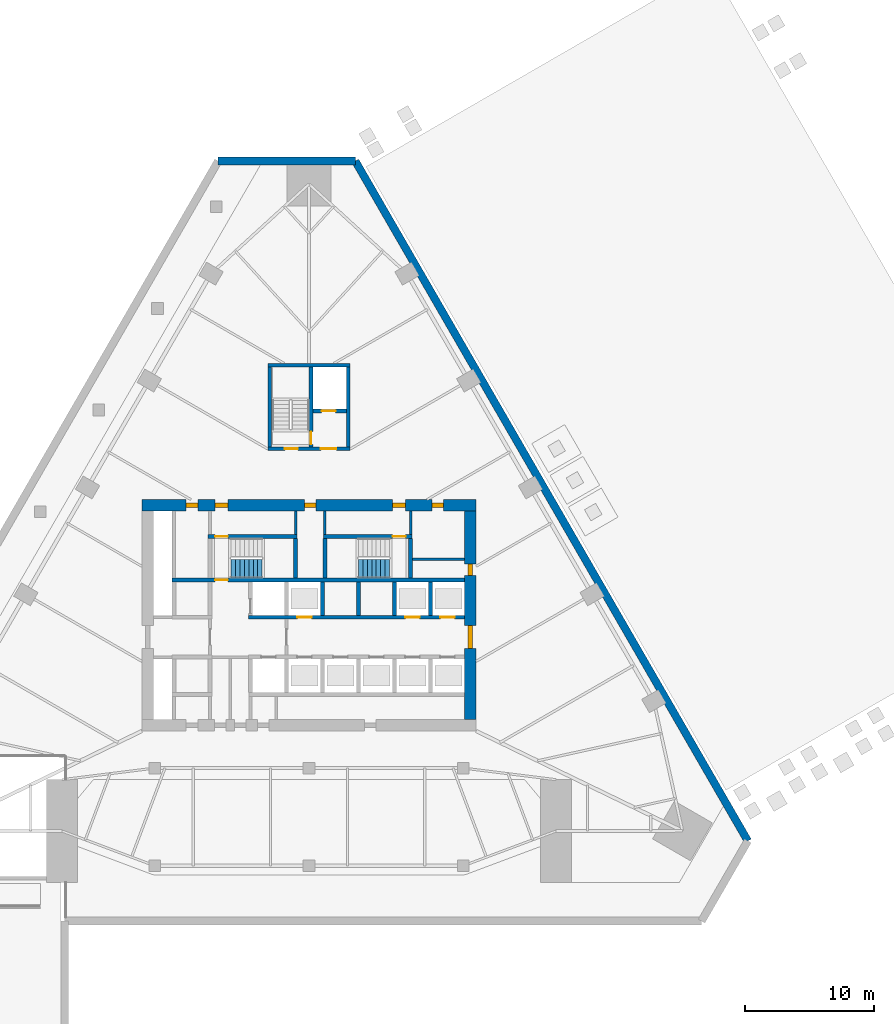
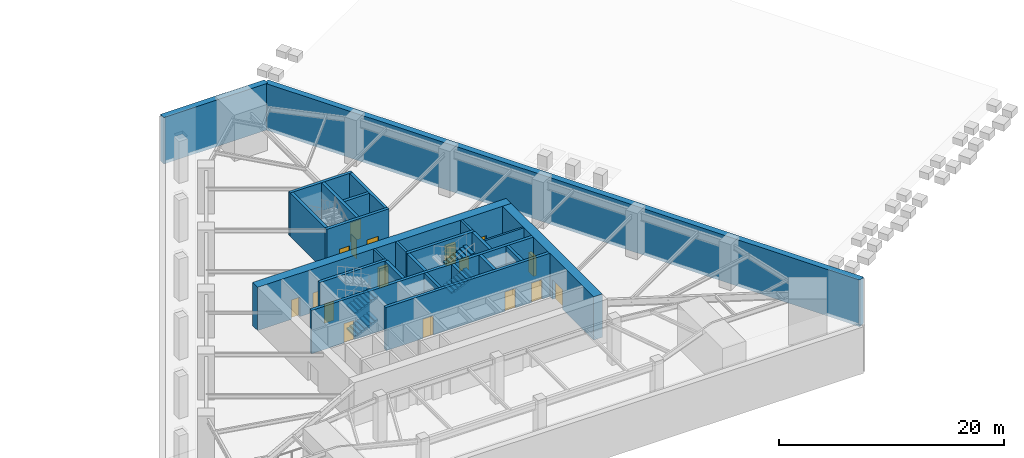
# One storey, part 5 of 9: 25 walls, 17 doors, 4 stair flights, 17 openings, 2 elements without a shape of their own.
"""IFC4 building model written with IfcOpenShell, lengths in metres."""

from ifc_helpers import new_model, si_unit, direction, frame, frame_2d, origin, place, context, subcontext, project, spatial, polyline, rectangle, outline, extrude, material, layer, layer_set, type_object, element, fill, aggregate, save


model = new_model("IFC4")

# Units and contexts
model_context = context("Model", 3, precision=1e-05, world=origin(), true_north=direction((0.0, 1.0)))
body_context = subcontext(model_context, "Body", "Model", "MODEL_VIEW")
ifc_project = project(units=[si_unit("LENGTHUNIT", "METRE"), si_unit("AREAUNIT", "SQUARE_METRE"), si_unit("VOLUMEUNIT", "CUBIC_METRE"), si_unit("PLANEANGLEUNIT", "RADIAN"), si_unit("MASSUNIT", "GRAM", prefix="KILO")], contexts=[model_context])

# Site, building, storey
site_placement = place(None, origin())
site = spatial("IfcSite", under=ifc_project, at=site_placement, CompositionType="ELEMENT")
building_placement = place(site_placement, origin())
building = spatial("IfcBuilding", under=site, at=building_placement, Name="Firuza Gate Tower and Library", CompositionType="ELEMENT")
storey_placement = place(building_placement, frame((0.0, 0.0, -5.0)))
storey = spatial("IfcBuildingStorey", under=building, at=storey_placement, Name="B1", CompositionType="ELEMENT", Elevation=-5.0)

# Walls
ifc_material_1 = material(Name="Plasterboard on steel studs", Category="steel")
ifc_layer_1 = layer(ifc_material_1, 0.199951171875)
ifc_layer_set_1 = layer_set([ifc_layer_1], Name="Core partition 200 EI 120")
wall_type_1 = type_object("IfcWallType", Name="Core partition 200 EI 120", PredefinedType="PARTITIONING", material=ifc_layer_set_1)
wall_1_placement = place(storey_placement, frame((83.050048828125, 79.35498046875, 0.0), z_axis=(0.0, 0.0, 1.0), x_axis=(1.0, 0.0, 0.0)))
element("IfcWall", 1, at=wall_1_placement, inside=storey, type_object=wall_type_1, Name="Core partition B1 4", PredefinedType="PARTITIONING", context=body_context, shape_type="SweptSolid", body=[
    extrude(rectangle(XDim=4.050048828125, YDim=0.199951171875, at=frame_2d((2.02490234375, 0.0))), origin(), (0.0, 0.0, 1.0), 4.699951171875),
])
for number, where, z_axis, x_axis, name in (
    (2, (73.9599609375, 81.280029296875, 0.0), (0.0, 0.0, 1.0), (0.0, 1.0, 0.0), "Core partition B1 14"),
    (3, (76.239990234375, 81.280029296875, 0.0), (0.0, 0.0, 1.0), (0.0, 1.0, 0.0), "Core partition B1 15"),
    (4, (82.89990234375, 81.280029296875, 0.0), (0.0, 0.0, 1.0), (0.0, 1.0, 0.0), "Core partition B1 16"),
):
    element("IfcWall", number, at=place(storey_placement, frame(where, z_axis=z_axis, x_axis=x_axis)), inside=storey, type_object=wall_type_1, Name=name, PredefinedType="PARTITIONING", context=body_context, shape_type="SweptSolid", body=[
        extrude(rectangle(XDim=1.820068359375, YDim=0.199951171875, at=frame_2d((0.91015625, 0.0))), origin(), (0.0, 0.0, 1.0), 4.699951171875),
    ])

# Wall, openings, doors
ifc_material_2 = material(Name="Concrete C80/95", Category="concrete")
ifc_layer_2 = layer(ifc_material_2, 0.300048828125)
ifc_layer_set_2 = layer_set([ifc_layer_2], Name="Core wall 300 C80/95")
wall_type_2 = type_object("IfcWallType", Name="Core wall 300 C80/95", PredefinedType="SHEAR", material=ifc_layer_set_2)
wall_2_placement = place(storey_placement, frame((70.300048828125, 74.85009765625, 0.0), z_axis=(0.0, 0.0, 1.0), x_axis=(1.0, 0.0, 0.0)))
wall_2 = element("IfcWall", 5, at=wall_2_placement, inside=storey, type_object=wall_type_2, Name="Core wall B1 10", PredefinedType="SHEAR", context=body_context, shape_type="SweptSolid", body=[
    extrude(rectangle(XDim=16.800048828125, YDim=0.300048828125, at=frame_2d((8.39990234375, 0.0))), origin(), (0.0, 0.0, 1.0), 4.699951171875),
])
opening_1_placement = place(wall_2_placement, frame((3.800048828125, 0.0, 0.0)))
opening_1 = element("IfcOpeningElement", 6, at=opening_1_placement, cuts=wall_2, Name="Opening LD-LR4-B1", PredefinedType="OPENING", context=body_context, shape_type="SweptSolid", body=[
    extrude(rectangle(XDim=1.10009765625, YDim=2.10009765625, at=frame_2d((0.550048828125, 1.050048828125))), frame((0.0, 0.16015625, 0.0), z_axis=(0.0, -1.0, 0.0), x_axis=(1.0, 0.0, 0.0)), (0.0, 0.0, 1.0), 0.320068359375),
])
opening_2_placement = place(wall_2_placement, frame((12.199951171875, 0.0, 0.0)))
opening_2 = element("IfcOpeningElement", 7, at=opening_2_placement, cuts=wall_2, Name="Opening LD-LR6-B1", PredefinedType="OPENING", context=body_context, shape_type="SweptSolid", body=[
    extrude(rectangle(XDim=1.10009765625, YDim=2.10009765625, at=frame_2d((0.550048828125, 1.050048828125))), frame((0.0, 0.16015625, 0.0), z_axis=(0.0, -1.0, 0.0), x_axis=(1.0, 0.0, 0.0)), (0.0, 0.0, 1.0), 0.320068359375),
])
opening_3_placement = place(wall_2_placement, frame((14.925048828125, 0.0, 0.0)))
opening_3 = element("IfcOpeningElement", 8, at=opening_3_placement, cuts=wall_2, Name="Opening LD-LR8-B1", PredefinedType="OPENING", context=body_context, shape_type="SweptSolid", body=[
    extrude(rectangle(XDim=1.10009765625, YDim=2.10009765625, at=frame_2d((0.550048828125, 1.050048828125))), frame((0.0, 0.16015625, 0.0), z_axis=(0.0, -1.0, 0.0), x_axis=(1.0, 0.0, 0.0)), (0.0, 0.0, 1.0), 0.320068359375),
])
ifc_material_3 = material(Name="Stainless steel", Category="steel")
door_type_1 = type_object("IfcDoorType", Name="Lift landing door 1100x2100", OperationType="DOUBLE_DOOR_SLIDING", PredefinedType="DOOR", material=ifc_material_3)
door_1_placement = place(opening_1_placement, origin())
door_1 = element("IfcDoor", 9, at=door_1_placement, inside=storey, type_object=door_type_1, Name="Landing door LR4 B1", OperationType="DOUBLE_DOOR_SLIDING", OverallHeight=2.10009765625, OverallWidth=1.10009765625, PredefinedType="DOOR", context=body_context, shape_type="SweptSolid", body=[
    extrude(rectangle(XDim=1.10009765625, YDim=2.10009765625, at=frame_2d((0.550048828125, 1.050048828125))), frame((0.0, 0.02490234375, 0.0), z_axis=(0.0, -1.0, 0.0), x_axis=(1.0, 0.0, 0.0)), (0.0, 0.0, 1.0), 0.050048828125),
])
fill(opening_1, door_1)
door_2_placement = place(opening_2_placement, origin())
door_2 = element("IfcDoor", 10, at=door_2_placement, inside=storey, type_object=door_type_1, Name="Landing door LR6 B1", OperationType="DOUBLE_DOOR_SLIDING", OverallHeight=2.10009765625, OverallWidth=1.10009765625, PredefinedType="DOOR", context=body_context, shape_type="SweptSolid", body=[
    extrude(rectangle(XDim=1.10009765625, YDim=2.10009765625, at=frame_2d((0.550048828125, 1.050048828125))), frame((0.0, 0.02490234375, 0.0), z_axis=(0.0, -1.0, 0.0), x_axis=(1.0, 0.0, 0.0)), (0.0, 0.0, 1.0), 0.050048828125),
])
fill(opening_2, door_2)
door_3_placement = place(opening_3_placement, origin())
door_3 = element("IfcDoor", 11, at=door_3_placement, inside=storey, type_object=door_type_1, Name="Landing door LR8 B1", OperationType="DOUBLE_DOOR_SLIDING", OverallHeight=2.10009765625, OverallWidth=1.10009765625, PredefinedType="DOOR", context=body_context, shape_type="SweptSolid", body=[
    extrude(rectangle(XDim=1.10009765625, YDim=2.10009765625, at=frame_2d((0.550048828125, 1.050048828125))), frame((0.0, 0.02490234375, 0.0), z_axis=(0.0, -1.0, 0.0), x_axis=(1.0, 0.0, 0.0)), (0.0, 0.0, 1.0), 0.050048828125),
])
fill(opening_3, door_3)

# Walls
for number, where, z_axis, x_axis, name in (
    (12, (76.050048828125, 75.0, 0.0), (0.0, 0.0, 1.0), (0.0, 1.0, 0.0), "Core wall B1 20"),
    (13, (78.85009765625, 75.0, 0.0), (0.0, 0.0, 1.0), (0.0, 1.0, 0.0), "Core wall B1 22"),
    (14, (81.64990234375, 75.0, 0.0), (0.0, 0.0, 1.0), (0.0, 1.0, 0.0), "Core wall B1 24"),
    (15, (84.449951171875, 75.0, 0.0), (0.0, 0.0, 1.0), (0.0, 1.0, 0.0), "Core wall B1 26"),
):
    element("IfcWall", number, at=place(storey_placement, frame(where, z_axis=z_axis, x_axis=x_axis)), inside=storey, type_object=wall_type_2, Name=name, PredefinedType="SHEAR", context=body_context, shape_type="SweptSolid", body=[
        extrude(rectangle(XDim=2.60009765625, YDim=0.300048828125, at=frame_2d((1.300048828125, 0.0))), origin(), (0.0, 0.0, 1.0), 4.699951171875),
    ])

# Wall, opening, door
wall_3_placement = place(storey_placement, frame((64.35009765625, 77.75, 0.0), z_axis=(0.0, 0.0, 1.0), x_axis=(1.0, 0.0, 0.0)))
wall_3 = element("IfcWall", 16, at=wall_3_placement, inside=storey, type_object=wall_type_2, Name="Core wall B1 27", PredefinedType="SHEAR", context=body_context, shape_type="SweptSolid", body=[
    extrude(rectangle(XDim=22.75, YDim=0.300048828125, at=frame_2d((11.375, 0.0))), origin(), (0.0, 0.0, 1.0), 4.699951171875),
])
opening_4_placement = place(wall_3_placement, frame((3.344970703125, 0.0, 0.0)))
opening_4 = element("IfcOpeningElement", 17, at=opening_4_placement, cuts=wall_3, Name="Opening B1-K12", PredefinedType="OPENING", context=body_context, shape_type="SweptSolid", body=[
    extrude(rectangle(XDim=1.0, YDim=2.10009765625, at=frame_2d((0.5, 1.050048828125))), frame((0.0, 0.16015625, 0.0), z_axis=(0.0, -1.0, 0.0), x_axis=(1.0, 0.0, 0.0)), (0.0, 0.0, 1.0), 0.320068359375),
])
ifc_material_4 = material(Name="Steel", Category="steel")
door_type_2 = type_object("IfcDoorType", Name="Fire door 1000x2100 FD90", OperationType="NOTDEFINED", PredefinedType="DOOR", material=ifc_material_4)
door_4_placement = place(opening_4_placement, origin())
door_4 = element("IfcDoor", 18, at=door_4_placement, inside=storey, type_object=door_type_2, Name="Door B1-K12", OperationType="SINGLE_SWING_LEFT", OverallHeight=2.10009765625, OverallWidth=1.0, PredefinedType="DOOR", context=body_context, shape_type="SweptSolid", body=[
    extrude(rectangle(XDim=1.0, YDim=2.10009765625, at=frame_2d((0.5, 1.050048828125))), frame((0.0, 0.02490234375, 0.0), z_axis=(0.0, -1.0, 0.0), x_axis=(1.0, 0.0, 0.0)), (0.0, 0.0, 1.0), 0.050048828125),
])
fill(opening_4, door_4)

wall_4_placement = place(storey_placement, frame((67.14990234375, 81.1298828125, 0.0), z_axis=(0.0, 0.0, 1.0), x_axis=(1.0, 0.0, 0.0)))
wall_4 = element("IfcWall", 19, at=wall_4_placement, inside=storey, type_object=wall_type_2, Name="Core wall B1 28", PredefinedType="SHEAR", context=body_context, shape_type="SweptSolid", body=[
    extrude(rectangle(XDim=6.91015625, YDim=0.300048828125, at=frame_2d((3.455078125, 0.0))), origin(), (0.0, 0.0, 1.0), 4.699951171875),
])
opening_5_placement = place(wall_4_placement, frame((0.544921875, 0.0, 0.0)))
opening_5 = element("IfcOpeningElement", 20, at=opening_5_placement, cuts=wall_4, Name="Opening B1-K13", PredefinedType="OPENING", context=body_context, shape_type="SweptSolid", body=[
    extrude(rectangle(XDim=1.0, YDim=2.10009765625, at=frame_2d((0.5, 1.050048828125))), frame((0.0, 0.16015625, 0.0), z_axis=(0.0, -1.0, 0.0), x_axis=(1.0, 0.0, 0.0)), (0.0, 0.0, 1.0), 0.320068359375),
])
door_5_placement = place(opening_5_placement, origin())
door_5 = element("IfcDoor", 21, at=door_5_placement, inside=storey, type_object=door_type_2, Name="Door B1-K13", OperationType="SINGLE_SWING_RIGHT", OverallHeight=2.10009765625, OverallWidth=1.0, PredefinedType="DOOR", context=body_context, shape_type="SweptSolid", body=[
    extrude(rectangle(XDim=1.0, YDim=2.10009765625, at=frame_2d((0.5, 1.050048828125))), frame((0.0, 0.02490234375, 0.0), z_axis=(0.0, -1.0, 0.0), x_axis=(1.0, 0.0, 0.0)), (0.0, 0.0, 1.0), 0.050048828125),
])
fill(opening_5, door_5)

wall_5_placement = place(storey_placement, frame((76.139892578125, 81.1298828125, 0.0), z_axis=(0.0, 0.0, 1.0), x_axis=(1.0, 0.0, 0.0)))
wall_5 = element("IfcWall", 22, at=wall_5_placement, inside=storey, type_object=wall_type_2, Name="Core wall B1 29", PredefinedType="SHEAR", context=body_context, shape_type="SweptSolid", body=[
    extrude(rectangle(XDim=6.860107421875, YDim=0.300048828125, at=frame_2d((3.43017578125, 0.0))), origin(), (0.0, 0.0, 1.0), 4.699951171875),
])
opening_6_placement = place(wall_5_placement, frame((5.364990234375, 0.0, 0.0)))
opening_6 = element("IfcOpeningElement", 23, at=opening_6_placement, cuts=wall_5, Name="Opening B1-K15", PredefinedType="OPENING", context=body_context, shape_type="SweptSolid", body=[
    extrude(rectangle(XDim=1.0, YDim=2.10009765625, at=frame_2d((0.5, 1.050048828125))), frame((0.0, 0.16015625, 0.0), z_axis=(0.0, -1.0, 0.0), x_axis=(1.0, 0.0, 0.0)), (0.0, 0.0, 1.0), 0.320068359375),
])
door_6_placement = place(opening_6_placement, origin())
door_6 = element("IfcDoor", 24, at=door_6_placement, inside=storey, type_object=door_type_2, Name="Door B1-K15", OperationType="SINGLE_SWING_RIGHT", OverallHeight=2.10009765625, OverallWidth=1.0, PredefinedType="DOOR", context=body_context, shape_type="SweptSolid", body=[
    extrude(rectangle(XDim=1.0, YDim=2.10009765625, at=frame_2d((0.5, 1.050048828125))), frame((0.0, 0.02490234375, 0.0), z_axis=(0.0, -1.0, 0.0), x_axis=(1.0, 0.0, 0.0)), (0.0, 0.0, 1.0), 0.050048828125),
])
fill(opening_6, door_6)

# Walls
for number, where, z_axis, x_axis, name in (
    (25, (73.9599609375, 77.89990234375, 0.0), (0.0, 0.0, 1.0), (0.0, 1.0, 0.0), "Core wall B1 31"),
    (26, (76.239990234375, 77.89990234375, 0.0), (0.0, 0.0, 1.0), (0.0, 1.0, 0.0), "Core wall B1 32"),
    (27, (82.89990234375, 77.89990234375, 0.0), (0.0, 0.0, 1.0), (0.0, 1.0, 0.0), "Core wall B1 33"),
):
    element("IfcWall", number, at=place(storey_placement, frame(where, z_axis=z_axis, x_axis=x_axis)), inside=storey, type_object=wall_type_2, Name=name, PredefinedType="SHEAR", context=body_context, shape_type="SweptSolid", body=[
        extrude(rectangle(XDim=3.080078125, YDim=0.300048828125, at=frame_2d((1.5400390625, 0.0))), origin(), (0.0, 0.0, 1.0), 4.699951171875),
    ])

# Wall, openings, doors
wall_6_placement = place(storey_placement, frame((71.800048828125, 87.949951171875, 0.0), z_axis=(0.0, 0.0, 1.0), x_axis=(1.0, 0.0, 0.0)))
wall_6 = element("IfcWall", 28, at=wall_6_placement, inside=storey, type_object=wall_type_2, Name="Core wall B1 34", PredefinedType="SHEAR", context=body_context, shape_type="SweptSolid", body=[
    extrude(rectangle(XDim=6.39990234375, YDim=0.300048828125, at=frame_2d((3.199951171875, 0.0))), origin(), (0.0, 0.0, 1.0), 4.699951171875),
])
opening_7_placement = place(wall_6_placement, frame((1.324951171875, 0.0, 0.0)))
opening_7 = element("IfcOpeningElement", 29, at=opening_7_placement, cuts=wall_6, Name="Opening B1-K17", PredefinedType="OPENING", context=body_context, shape_type="SweptSolid", body=[
    extrude(rectangle(XDim=1.0, YDim=2.10009765625, at=frame_2d((0.5, 1.050048828125))), frame((0.0, 0.16015625, 0.0), z_axis=(0.0, -1.0, 0.0), x_axis=(1.0, 0.0, 0.0)), (0.0, 0.0, 1.0), 0.320068359375),
])
opening_8_placement = place(wall_6_placement, frame((4.125, 0.0, 0.0)))
opening_8 = element("IfcOpeningElement", 30, at=opening_8_placement, cuts=wall_6, Name="Opening B1-K19", PredefinedType="OPENING", context=body_context, shape_type="SweptSolid", body=[
    extrude(rectangle(XDim=1.199951171875, YDim=2.10009765625, at=frame_2d((0.60009765625, 1.050048828125))), frame((0.0, 0.16015625, 0.0), z_axis=(0.0, -1.0, 0.0), x_axis=(1.0, 0.0, 0.0)), (0.0, 0.0, 1.0), 0.320068359375),
])
door_7_placement = place(opening_7_placement, origin())
door_7 = element("IfcDoor", 31, at=door_7_placement, inside=storey, type_object=door_type_2, Name="Door B1-K17", OperationType="SINGLE_SWING_RIGHT", OverallHeight=2.10009765625, OverallWidth=1.0, PredefinedType="DOOR", context=body_context, shape_type="SweptSolid", body=[
    extrude(rectangle(XDim=1.0, YDim=2.10009765625, at=frame_2d((0.5, 1.050048828125))), frame((0.0, 0.02490234375, 0.0), z_axis=(0.0, -1.0, 0.0), x_axis=(1.0, 0.0, 0.0)), (0.0, 0.0, 1.0), 0.050048828125),
])
fill(opening_7, door_7)
ifc_material_5 = material(Name="Steel", Category="steel")
door_type_3 = type_object("IfcDoorType", Name="Fire door 1200x2100 FD30S", OperationType="NOTDEFINED", PredefinedType="DOOR", material=ifc_material_5)
door_8_placement = place(opening_8_placement, origin())
door_8 = element("IfcDoor", 32, at=door_8_placement, inside=storey, type_object=door_type_3, Name="Door B1-K19", OperationType="SINGLE_SWING_RIGHT", OverallHeight=2.10009765625, OverallWidth=1.199951171875, PredefinedType="DOOR", context=body_context, shape_type="SweptSolid", body=[
    extrude(rectangle(XDim=1.199951171875, YDim=2.10009765625, at=frame_2d((0.60009765625, 1.050048828125))), frame((0.0, 0.02490234375, 0.0), z_axis=(0.0, -1.0, 0.0), x_axis=(1.0, 0.0, 0.0)), (0.0, 0.0, 1.0), 0.050048828125),
])
fill(opening_8, door_8)

# Walls
wall_7_placement = place(storey_placement, frame((71.800048828125, 94.449951171875, 0.0), z_axis=(0.0, 0.0, 1.0), x_axis=(1.0, 0.0, 0.0)))
element("IfcWall", 33, at=wall_7_placement, inside=storey, type_object=wall_type_2, Name="Core wall B1 35", PredefinedType="SHEAR", context=body_context, shape_type="SweptSolid", body=[
    extrude(rectangle(XDim=6.39990234375, YDim=0.300048828125, at=frame_2d((3.199951171875, 0.0))), origin(), (0.0, 0.0, 1.0), 4.699951171875),
])
for number, where, z_axis, x_axis, name in (
    (34, (71.949951171875, 88.10009765625, 0.0), (0.0, 0.0, 1.0), (0.0, 1.0, 0.0), "Core wall B1 36"),
    (35, (78.050048828125, 88.10009765625, 0.0), (0.0, 0.0, 1.0), (0.0, 1.0, 0.0), "Core wall B1 37"),
):
    element("IfcWall", number, at=place(storey_placement, frame(where, z_axis=z_axis, x_axis=x_axis)), inside=storey, type_object=wall_type_2, Name=name, PredefinedType="SHEAR", context=body_context, shape_type="SweptSolid", body=[
        extrude(rectangle(XDim=6.199951171875, YDim=0.300048828125, at=frame_2d((3.10009765625, 0.0))), origin(), (0.0, 0.0, 1.0), 4.699951171875),
    ])

# Wall, opening, door
wall_8_placement = place(storey_placement, frame((75.300048828125, 90.89990234375, 0.0), z_axis=(0.0, 0.0, 1.0), x_axis=(1.0, 0.0, 0.0)))
wall_8 = element("IfcWall", 36, at=wall_8_placement, inside=storey, type_object=wall_type_2, Name="Core wall B1 38", PredefinedType="SHEAR", context=body_context, shape_type="SweptSolid", body=[
    extrude(rectangle(XDim=2.599853515625, YDim=0.300048828125, at=frame_2d((1.2998046875, 0.0))), origin(), (0.0, 0.0, 1.0), 4.699951171875),
])
opening_9_placement = place(wall_8_placement, frame((0.675048828125, 0.0, 0.0)))
opening_9 = element("IfcOpeningElement", 37, at=opening_9_placement, cuts=wall_8, Name="Opening LD-SV1-B1", PredefinedType="OPENING", context=body_context, shape_type="SweptSolid", body=[
    extrude(rectangle(XDim=1.10009765625, YDim=2.10009765625, at=frame_2d((0.550048828125, 1.050048828125))), frame((0.0, 0.16015625, 0.0), z_axis=(0.0, -1.0, 0.0), x_axis=(1.0, 0.0, 0.0)), (0.0, 0.0, 1.0), 0.320068359375),
])
door_9_placement = place(opening_9_placement, origin())
door_9 = element("IfcDoor", 38, at=door_9_placement, inside=storey, type_object=door_type_1, Name="Landing door SV1 B1", OperationType="DOUBLE_DOOR_SLIDING", OverallHeight=2.10009765625, OverallWidth=1.10009765625, PredefinedType="DOOR", context=body_context, shape_type="SweptSolid", body=[
    extrude(rectangle(XDim=1.10009765625, YDim=2.10009765625, at=frame_2d((0.550048828125, 1.050048828125))), frame((0.0, 0.02490234375, 0.0), z_axis=(0.0, -1.0, 0.0), x_axis=(1.0, 0.0, 0.0)), (0.0, 0.0, 1.0), 0.050048828125),
])
fill(opening_9, door_9)

wall_9_placement = place(storey_placement, frame((75.14990234375, 88.10009765625, 0.0), z_axis=(0.0, 0.0, 1.0), x_axis=(0.0, 1.0, 0.0)))
wall_9 = element("IfcWall", 39, at=wall_9_placement, inside=storey, type_object=wall_type_2, Name="Core wall B1 39", PredefinedType="SHEAR", context=body_context, shape_type="SweptSolid", body=[
    extrude(rectangle(XDim=6.199951171875, YDim=0.300048828125, at=frame_2d((3.10009765625, 0.0))), origin(), (0.0, 0.0, 1.0), 4.699951171875),
])
opening_10_placement = place(wall_9_placement, frame((0.18505859375, 0.0, 0.0)))
opening_10 = element("IfcOpeningElement", 40, at=opening_10_placement, cuts=wall_9, Name="Opening B1-K18", PredefinedType="OPENING", context=body_context, shape_type="SweptSolid", body=[
    extrude(rectangle(XDim=1.0, YDim=2.10009765625, at=frame_2d((0.5, 1.050048828125))), frame((0.0, 0.16015625, 0.0), z_axis=(0.0, -1.0, 0.0), x_axis=(1.0, 0.0, 0.0)), (0.0, 0.0, 1.0), 0.320068359375),
])
door_10_placement = place(opening_10_placement, origin())
door_10 = element("IfcDoor", 41, at=door_10_placement, inside=storey, type_object=door_type_2, Name="Door B1-K18", OperationType="SINGLE_SWING_LEFT", OverallHeight=2.10009765625, OverallWidth=1.0, PredefinedType="DOOR", context=body_context, shape_type="SweptSolid", body=[
    extrude(rectangle(XDim=1.0, YDim=2.10009765625, at=frame_2d((0.5, 1.050048828125))), frame((0.0, 0.02490234375, 0.0), z_axis=(0.0, -1.0, 0.0), x_axis=(1.0, 0.0, 0.0)), (0.0, 0.0, 1.0), 0.050048828125),
])
fill(opening_10, door_10)

# Wall, openings, doors
ifc_material_6 = material(Name="Concrete C80/95", Category="concrete")
ifc_layer_3 = layer(ifc_material_6, 0.89990234375)
ifc_layer_set_3 = layer_set([ifc_layer_3], Name="Core wall 900 C80/95")
wall_type_3 = type_object("IfcWallType", Name="Core wall 900 C80/95", PredefinedType="SHEAR", material=ifc_layer_set_3)
wall_10_placement = place(storey_placement, frame((62.0, 83.550048828125, 0.0), z_axis=(0.0, 0.0, 1.0), x_axis=(1.0, 0.0, 0.0)))
wall_10 = element("IfcWall", 42, at=wall_10_placement, inside=storey, type_object=wall_type_3, Name="Core wall B1 2", PredefinedType="SHEAR", context=body_context, shape_type="SweptSolid", body=[
    extrude(rectangle(XDim=26.0, YDim=0.89990234375, at=frame_2d((13.0, 0.0))), origin(), (0.0, 0.0, 1.0), 4.699951171875),
])
opening_11_placement = place(wall_10_placement, frame((5.695068359375, 0.0, 0.0)))
opening_11 = element("IfcOpeningElement", 43, at=opening_11_placement, cuts=wall_10, Name="Opening B1-K14", PredefinedType="OPENING", context=body_context, shape_type="SweptSolid", body=[
    extrude(rectangle(XDim=1.0, YDim=2.10009765625, at=frame_2d((0.5, 1.050048828125))), frame((0.0, 0.4599609375, 0.0), z_axis=(0.0, -1.0, 0.0), x_axis=(1.0, 0.0, 0.0)), (0.0, 0.0, 1.0), 0.919921875),
])
opening_12_placement = place(wall_10_placement, frame((19.5048828125, 0.0, 0.0)))
opening_12 = element("IfcOpeningElement", 44, at=opening_12_placement, cuts=wall_10, Name="Opening B1-K16", PredefinedType="OPENING", context=body_context, shape_type="SweptSolid", body=[
    extrude(rectangle(XDim=1.0, YDim=2.10009765625, at=frame_2d((0.5, 1.050048828125))), frame((0.0, 0.4599609375, 0.0), z_axis=(0.0, -1.0, 0.0), x_axis=(1.0, 0.0, 0.0)), (0.0, 0.0, 1.0), 0.919921875),
])
opening_13_placement = place(wall_10_placement, frame((3.449951171875, 0.0, 0.0)))
opening_13 = element("IfcOpeningElement", 45, at=opening_13_placement, cuts=wall_10, Name="Opening B1-K29", PredefinedType="OPENING", context=body_context, shape_type="SweptSolid", body=[
    extrude(rectangle(XDim=0.89990234375, YDim=2.10009765625, at=frame_2d((0.449951171875, 1.050048828125))), frame((0.0, 0.4599609375, 0.0), z_axis=(0.0, -1.0, 0.0), x_axis=(1.0, 0.0, 0.0)), (0.0, 0.0, 1.0), 0.919921875),
])
opening_14_placement = place(wall_10_placement, frame((12.64990234375, 0.0, 0.0)))
opening_14 = element("IfcOpeningElement", 46, at=opening_14_placement, cuts=wall_10, Name="Opening B1-K30", PredefinedType="OPENING", context=body_context, shape_type="SweptSolid", body=[
    extrude(rectangle(XDim=0.89990234375, YDim=2.10009765625, at=frame_2d((0.449951171875, 1.050048828125))), frame((0.0, 0.4599609375, 0.0), z_axis=(0.0, -1.0, 0.0), x_axis=(1.0, 0.0, 0.0)), (0.0, 0.0, 1.0), 0.919921875),
])
opening_15_placement = place(wall_10_placement, frame((22.550048828125, 0.0, 0.0)))
opening_15 = element("IfcOpeningElement", 47, at=opening_15_placement, cuts=wall_10, Name="Opening B1-K32", PredefinedType="OPENING", context=body_context, shape_type="SweptSolid", body=[
    extrude(rectangle(XDim=0.89990234375, YDim=2.10009765625, at=frame_2d((0.449951171875, 1.050048828125))), frame((0.0, 0.4599609375, 0.0), z_axis=(0.0, -1.0, 0.0), x_axis=(1.0, 0.0, 0.0)), (0.0, 0.0, 1.0), 0.919921875),
])
door_11_placement = place(opening_11_placement, origin())
door_11 = element("IfcDoor", 48, at=door_11_placement, inside=storey, type_object=door_type_2, Name="Door B1-K14", OperationType="SINGLE_SWING_LEFT", OverallHeight=2.10009765625, OverallWidth=1.0, PredefinedType="DOOR", context=body_context, shape_type="SweptSolid", body=[
    extrude(rectangle(XDim=1.0, YDim=2.10009765625, at=frame_2d((0.5, 1.050048828125))), frame((0.0, 0.169921875, 0.0), z_axis=(0.0, -1.0, 0.0), x_axis=(1.0, 0.0, 0.0)), (0.0, 0.0, 1.0), 0.33984375),
])
fill(opening_11, door_11)
door_12_placement = place(opening_12_placement, origin())
door_12 = element("IfcDoor", 49, at=door_12_placement, inside=storey, type_object=door_type_2, Name="Door B1-K16", OperationType="SINGLE_SWING_LEFT", OverallHeight=2.10009765625, OverallWidth=1.0, PredefinedType="DOOR", context=body_context, shape_type="SweptSolid", body=[
    extrude(rectangle(XDim=1.0, YDim=2.10009765625, at=frame_2d((0.5, 1.050048828125))), frame((0.0, 0.169921875, 0.0), z_axis=(0.0, -1.0, 0.0), x_axis=(1.0, 0.0, 0.0)), (0.0, 0.0, 1.0), 0.33984375),
])
fill(opening_12, door_12)
ifc_material_7 = material(Name="Steel", Category="steel")
door_type_4 = type_object("IfcDoorType", Name="Fire door 900x2100 FD30S", OperationType="NOTDEFINED", PredefinedType="DOOR", material=ifc_material_7)
door_13_placement = place(opening_13_placement, origin())
door_13 = element("IfcDoor", 50, at=door_13_placement, inside=storey, type_object=door_type_4, Name="Door B1-K29", OperationType="SINGLE_SWING_RIGHT", OverallHeight=2.10009765625, OverallWidth=0.89990234375, PredefinedType="DOOR", context=body_context, shape_type="SweptSolid", body=[
    extrude(rectangle(XDim=0.89990234375, YDim=2.10009765625, at=frame_2d((0.449951171875, 1.050048828125))), frame((0.0, 0.169921875, 0.0), z_axis=(0.0, -1.0, 0.0), x_axis=(1.0, 0.0, 0.0)), (0.0, 0.0, 1.0), 0.33984375),
])
fill(opening_13, door_13)
door_14_placement = place(opening_14_placement, origin())
door_14 = element("IfcDoor", 51, at=door_14_placement, inside=storey, type_object=door_type_4, Name="Door B1-K30", OperationType="SINGLE_SWING_LEFT", OverallHeight=2.10009765625, OverallWidth=0.89990234375, PredefinedType="DOOR", context=body_context, shape_type="SweptSolid", body=[
    extrude(rectangle(XDim=0.89990234375, YDim=2.10009765625, at=frame_2d((0.449951171875, 1.050048828125))), frame((0.0, 0.169921875, 0.0), z_axis=(0.0, -1.0, 0.0), x_axis=(1.0, 0.0, 0.0)), (0.0, 0.0, 1.0), 0.33984375),
])
fill(opening_14, door_14)
door_15_placement = place(opening_15_placement, origin())
door_15 = element("IfcDoor", 52, at=door_15_placement, inside=storey, type_object=door_type_4, Name="Door B1-K32", OperationType="SINGLE_SWING_LEFT", OverallHeight=2.10009765625, OverallWidth=0.89990234375, PredefinedType="DOOR", context=body_context, shape_type="SweptSolid", body=[
    extrude(rectangle(XDim=0.89990234375, YDim=2.10009765625, at=frame_2d((0.449951171875, 1.050048828125))), frame((0.0, 0.169921875, 0.0), z_axis=(0.0, -1.0, 0.0), x_axis=(1.0, 0.0, 0.0)), (0.0, 0.0, 1.0), 0.33984375),
])
fill(opening_15, door_15)

wall_11_placement = place(storey_placement, frame((87.550048828125, 66.89990234375, 0.0), z_axis=(0.0, 0.0, 1.0), x_axis=(0.0, 1.0, 0.0)))
wall_11 = element("IfcWall", 53, at=wall_11_placement, inside=storey, type_object=wall_type_3, Name="Core wall B1 4", PredefinedType="SHEAR", context=body_context, shape_type="SweptSolid", body=[
    extrude(rectangle(XDim=16.2001953125, YDim=0.89990234375, at=frame_2d((8.10009765625, 0.0))), origin(), (0.0, 0.0, 1.0), 4.699951171875),
])
opening_16_placement = place(wall_11_placement, frame((5.5, 0.0, 0.0)))
opening_16 = element("IfcOpeningElement", 54, at=opening_16_placement, cuts=wall_11, Name="Opening B1-K23", PredefinedType="OPENING", context=body_context, shape_type="SweptSolid", body=[
    extrude(rectangle(XDim=1.800048828125, YDim=2.10009765625, at=frame_2d((0.89990234375, 1.050048828125))), frame((0.0, 0.4599609375, 0.0), z_axis=(0.0, -1.0, 0.0), x_axis=(1.0, 0.0, 0.0)), (0.0, 0.0, 1.0), 0.919921875),
])
opening_17_placement = place(wall_11_placement, frame((11.202392578125, 0.0, 0.0)))
opening_17 = element("IfcOpeningElement", 55, at=opening_17_placement, cuts=wall_11, Name="Opening B1-K31", PredefinedType="OPENING", context=body_context, shape_type="SweptSolid", body=[
    extrude(rectangle(XDim=0.89990234375, YDim=2.10009765625, at=frame_2d((0.449951171875, 1.050048828125))), frame((0.0, 0.4599609375, 0.0), z_axis=(0.0, -1.0, 0.0), x_axis=(1.0, 0.0, 0.0)), (0.0, 0.0, 1.0), 0.919921875),
])
ifc_material_8 = material(Name="Steel", Category="steel")
door_type_5 = type_object("IfcDoorType", Name="Fire door 1800x2100 FD30S", OperationType="NOTDEFINED", PredefinedType="DOOR", material=ifc_material_8)
door_16_placement = place(opening_16_placement, origin())
door_16 = element("IfcDoor", 56, at=door_16_placement, inside=storey, type_object=door_type_5, Name="Door B1-K23", OperationType="SINGLE_SWING_RIGHT", OverallHeight=2.10009765625, OverallWidth=1.800048828125, PredefinedType="DOOR", context=body_context, shape_type="SweptSolid", body=[
    extrude(rectangle(XDim=1.800048828125, YDim=2.10009765625, at=frame_2d((0.89990234375, 1.050048828125))), frame((0.0, 0.169921875, 0.0), z_axis=(0.0, -1.0, 0.0), x_axis=(1.0, 0.0, 0.0)), (0.0, 0.0, 1.0), 0.33984375),
])
fill(opening_16, door_16)
door_17_placement = place(opening_17_placement, origin())
door_17 = element("IfcDoor", 57, at=door_17_placement, inside=storey, type_object=door_type_4, Name="Door B1-K31", OperationType="SINGLE_SWING_RIGHT", OverallHeight=2.10009765625, OverallWidth=0.89990234375, PredefinedType="DOOR", context=body_context, shape_type="SweptSolid", body=[
    extrude(rectangle(XDim=0.89990234375, YDim=2.10009765625, at=frame_2d((0.449951171875, 1.050048828125))), frame((0.0, 0.169921875, 0.0), z_axis=(0.0, -1.0, 0.0), x_axis=(1.0, 0.0, 0.0)), (0.0, 0.0, 1.0), 0.33984375),
])
fill(opening_17, door_17)

# Walls
ifc_material_9 = material(Name="Concrete C40/50", Category="concrete")
ifc_layer_4 = layer(ifc_material_9, 0.60009765625)
ifc_layer_set_4 = layer_set([ifc_layer_4], Name="Retaining wall 600 C40/50")
wall_type_4 = type_object("IfcWallType", Name="Retaining wall 600 C40/50", PredefinedType="SOLIDWALL", material=ifc_layer_set_4)
wall_12_placement = place(storey_placement, frame((109.132080078125, 57.45068359375, -0.35009765625), z_axis=(0.0, 0.0, 1.0), x_axis=(-0.499999206999, 0.866025861623, 0.0)))
element("IfcWall", 58, at=wall_12_placement, inside=storey, type_object=wall_type_4, Name="Retaining wall B1 3", PredefinedType="SOLIDWALL", context=body_context, shape_type="SweptSolid", body=[
    extrude(rectangle(XDim=61.06396484375, YDim=0.60009765625, at=frame_2d((30.531982421875, 0.0))), origin(), (0.0, 0.0, 1.0), 5.050048828125),
])
wall_13_placement = place(storey_placement, frame((78.60009765625, 110.333740234375, -0.35009765625), z_axis=(0.0, 0.0, 1.0), x_axis=(-1.0, 0.0, 0.0)))
element("IfcWall", 59, at=wall_13_placement, inside=storey, type_object=wall_type_4, Name="Retaining wall B1 4", PredefinedType="SOLIDWALL", context=body_context, shape_type="SweptSolid", body=[
    extrude(rectangle(XDim=10.664306640625, YDim=0.60009765625, at=frame_2d((5.33203125, 0.0))), origin(), (0.0, 0.0, 1.0), 5.050048828125),
])

# Stair, stair flights
ifc_material_10 = material(Name="Concrete C35/45", Category="concrete")
stair_type = type_object("IfcStairType", Name="Exit stair ST2", PredefinedType="HALF_TURN_STAIR", material=ifc_material_10)
placement = place(storey_placement, origin())
stair_1 = element("IfcStair", 60, at=placement, inside=storey, type_object=stair_type, Name="B1 Stair ST1", PredefinedType="HALF_TURN_STAIR")
ifc_material_11 = material(Name="Concrete C35/45", Category="concrete")
stair_flight_type = type_object("IfcStairFlightType", Name="Stair flight 8 risers 156.2 width 1490", PredefinedType="STRAIGHT", material=ifc_material_11)
stair_flight_1_placement = place(storey_placement, frame((68.93994140625, 78.64501953125, 0.0), z_axis=(0.0, 0.0, 1.0), x_axis=(1.0, 0.0, 0.0)))
stair_flight_1 = element("IfcStairFlight", 61, at=stair_flight_1_placement, type_object=stair_flight_type, Name="ST1 flight 1", NumberOfRisers=8, NumberOfTreads=7, PredefinedType="STRAIGHT", RiserHeight=0.15625, TreadLength=0.345, context=body_context, shape_type="SweptSolid", body=[
    extrude(outline(polyline([(0.0, 0.0), (0.0, 0.15625), (0.344970703125, 0.15625), (0.344970703125, 0.3125), (0.68994140625, 0.3125), (0.68994140625, 0.46875), (1.034912109375, 0.46875), (1.034912109375, 0.625), (1.3798828125, 0.625), (1.3798828125, 0.78125), (1.72509765625, 0.78125), (1.72509765625, 0.9375), (2.070068359375, 0.9375), (2.070068359375, 1.09375), (2.4150390625, 1.09375), (2.4150390625, 1.25), (2.4150390625, 0.92919921875), (0.36328125, 0.0), (0.0, 0.0)])), frame((0.0, 0.7451171875, 0.0), z_axis=(0.0, -1.0, 0.0), x_axis=(1.0, 0.0, 0.0)), (0.0, 0.0, 1.0), 1.489990234375),
])
stair_flight_2_placement = place(storey_placement, frame((68.93994140625, 78.64501953125, 2.5), z_axis=(0.0, 0.0, 1.0), x_axis=(1.0, 0.0, 0.0)))
stair_flight_2 = element("IfcStairFlight", 62, at=stair_flight_2_placement, type_object=stair_flight_type, Name="ST1 flight 3", NumberOfRisers=8, NumberOfTreads=7, PredefinedType="STRAIGHT", RiserHeight=0.15625, TreadLength=0.345, context=body_context, shape_type="SweptSolid", body=[
    extrude(outline(polyline([(0.0, 0.0), (0.0, 0.15625), (0.344970703125, 0.15625), (0.344970703125, 0.3125), (0.68994140625, 0.3125), (0.68994140625, 0.46875), (1.034912109375, 0.46875), (1.034912109375, 0.625), (1.3798828125, 0.625), (1.3798828125, 0.78125), (1.72509765625, 0.78125), (1.72509765625, 0.9375), (2.070068359375, 0.9375), (2.070068359375, 1.09375), (2.4150390625, 1.09375), (2.4150390625, 1.25), (2.4150390625, 0.92919921875), (0.36328125, 0.0), (0.0, 0.0)])), frame((0.0, 0.7451171875, 0.0), z_axis=(0.0, -1.0, 0.0), x_axis=(1.0, 0.0, 0.0)), (0.0, 0.0, 1.0), 1.489990234375),
])
aggregate(stair_1, [stair_flight_1, stair_flight_2])

stair_2 = element("IfcStair", 63, at=placement, inside=storey, type_object=stair_type, Name="B1 Stair ST2", PredefinedType="HALF_TURN_STAIR")
stair_flight_3_placement = place(storey_placement, frame((78.844970703125, 78.64501953125, 1.25), z_axis=(0.0, 0.0, 1.0), x_axis=(1.0, 0.0, 0.0)))
stair_flight_3 = element("IfcStairFlight", 64, at=stair_flight_3_placement, type_object=stair_flight_type, Name="ST2 flight 2", NumberOfRisers=8, NumberOfTreads=7, PredefinedType="STRAIGHT", RiserHeight=0.15625, TreadLength=0.345, context=body_context, shape_type="SweptSolid", body=[
    extrude(outline(polyline([(0.0, 0.0), (0.0, 0.15625), (0.344970703125, 0.15625), (0.344970703125, 0.3125), (0.68994140625, 0.3125), (0.68994140625, 0.46875), (1.034912109375, 0.46875), (1.034912109375, 0.625), (1.3798828125, 0.625), (1.3798828125, 0.78125), (1.72509765625, 0.78125), (1.72509765625, 0.9375), (2.070068359375, 0.9375), (2.070068359375, 1.09375), (2.4150390625, 1.09375), (2.4150390625, 1.25), (2.4150390625, 0.92919921875), (0.36328125, 0.0), (0.0, 0.0)])), frame((0.0, 0.7451171875, 0.0), z_axis=(0.0, -1.0, 0.0), x_axis=(1.0, 0.0, 0.0)), (0.0, 0.0, 1.0), 1.489990234375),
])
stair_flight_4_placement = place(storey_placement, frame((78.844970703125, 78.64501953125, 3.75), z_axis=(0.0, 0.0, 1.0), x_axis=(1.0, 0.0, 0.0)))
stair_flight_4 = element("IfcStairFlight", 65, at=stair_flight_4_placement, type_object=stair_flight_type, Name="ST2 flight 4", NumberOfRisers=8, NumberOfTreads=7, PredefinedType="STRAIGHT", RiserHeight=0.15625, TreadLength=0.345, context=body_context, shape_type="SweptSolid", body=[
    extrude(outline(polyline([(0.0, 0.0), (0.0, 0.15625), (0.344970703125, 0.15625), (0.344970703125, 0.3125), (0.68994140625, 0.3125), (0.68994140625, 0.46875), (1.034912109375, 0.46875), (1.034912109375, 0.625), (1.3798828125, 0.625), (1.3798828125, 0.78125), (1.72509765625, 0.78125), (1.72509765625, 0.9375), (2.070068359375, 0.9375), (2.070068359375, 1.09375), (2.4150390625, 1.09375), (2.4150390625, 1.25), (2.4150390625, 0.92919921875), (0.36328125, 0.0), (0.0, 0.0)])), frame((0.0, 0.7451171875, 0.0), z_axis=(0.0, -1.0, 0.0), x_axis=(1.0, 0.0, 0.0)), (0.0, 0.0, 1.0), 1.489990234375),
])
aggregate(stair_2, [stair_flight_3, stair_flight_4])

save(model, "model.ifc")
